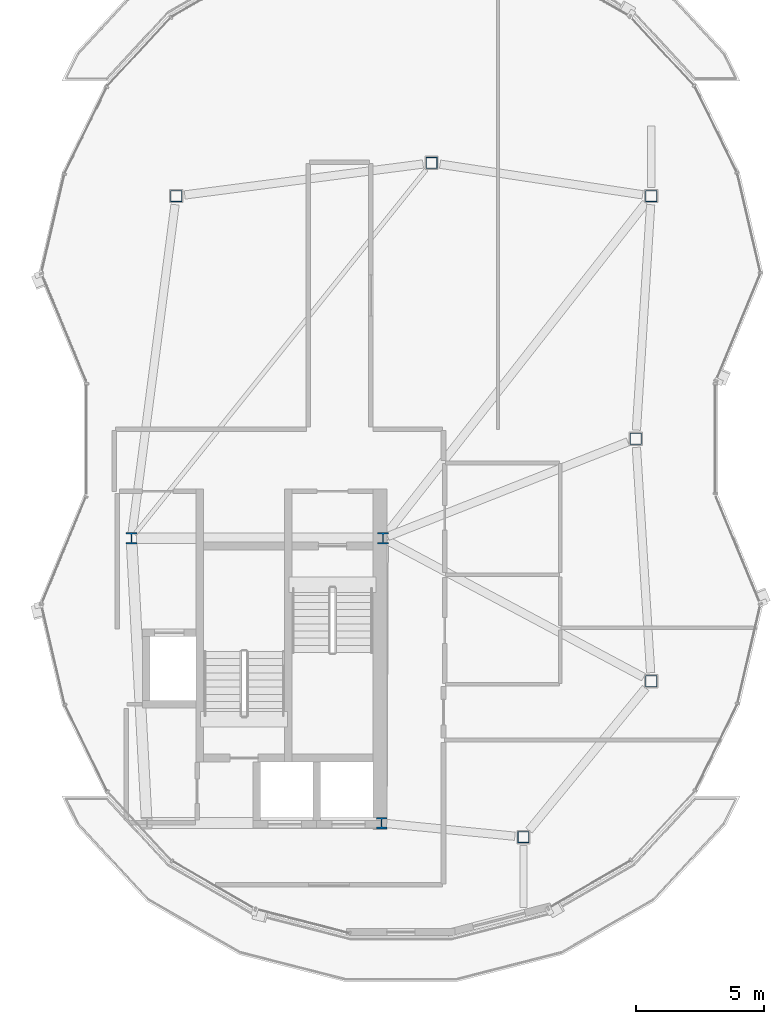
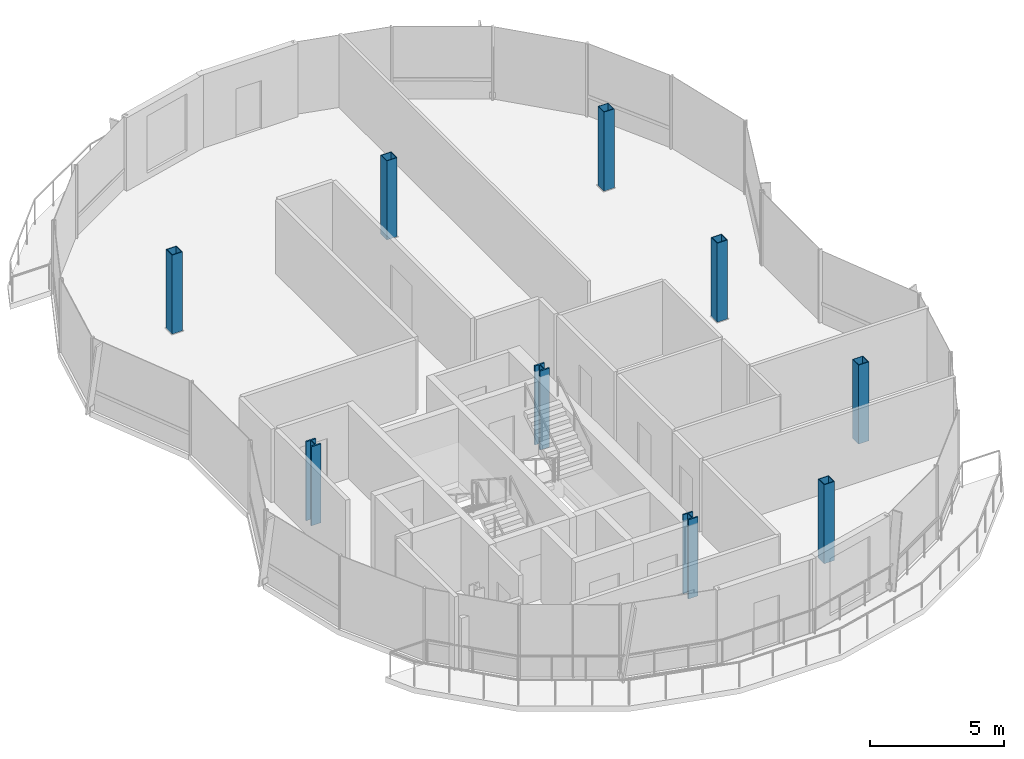
# One storey, part 2 of 20: 9 columns.
"""IFC4 building model written with IfcOpenShell, lengths in metres."""

from ifc_helpers import new_model, si_unit, direction, frame, origin, origin_2d, place, context, subcontext, project, spatial, hollow_rectangle, i_section, extrude, material, material_profile, profile_set, type_object, element, save


model = new_model("IFC4")

# Units and contexts
model_context = context("Model", 3, precision=1e-05, world=origin(), true_north=direction((0.0, 1.0)))
body_context = subcontext(model_context, "Body", "Model", "MODEL_VIEW")
ifc_project = project(units=[si_unit("LENGTHUNIT", "METRE"), si_unit("AREAUNIT", "SQUARE_METRE"), si_unit("VOLUMEUNIT", "CUBIC_METRE"), si_unit("PLANEANGLEUNIT", "RADIAN"), si_unit("MASSUNIT", "GRAM", prefix="KILO"), si_unit("THERMODYNAMICTEMPERATUREUNIT", "KELVIN"), si_unit("POWERUNIT", "WATT")], contexts=[model_context])

# Site, building, storey
site_placement = place(None, origin())
site = spatial("IfcSite", under=ifc_project, at=site_placement, CompositionType="ELEMENT")
building_placement = place(site_placement, origin())
building = spatial("IfcBuilding", under=site, at=building_placement, Name="Cundina Bronze Exchange", CompositionType="ELEMENT")
storey_placement = place(building_placement, frame((0.0, 0.0, 282.800048828125)))
storey = spatial("IfcBuildingStorey", under=building, at=storey_placement, Name="L75", CompositionType="ELEMENT", Elevation=282.800048828125)

# Columns
ifc_material_1 = material(Name="Steel ASTM A501 Grade B", Category="steel")
ifc_material_profile_1 = material_profile(ifc_material_1, hollow_rectangle(XDim=0.449951171875, YDim=0.449951171875, WallThickness=0.02490234375, at=origin_2d()), Name="HSS450X450X25", Category="steel")
ifc_profile_set_1 = profile_set([ifc_material_profile_1], Name="Steel ASTM A501 Grade B")
column_type_1 = type_object("IfcColumnType", Name="COL-STL-HSS45", PredefinedType="COLUMN", material=ifc_profile_set_1)
for number, where, z_axis, x_axis, name in (
    (1, (41.199951171875, 0.0, 0.0), (0.0, 0.0, 1.0), (1.0, 0.0, 0.0), "L75 E Inner Ring Column 1"),
    (2, (41.800048828125, -9.5, 0.0), (0.0, 0.0, 1.0), (1.0, 0.0, 0.0), "L75 E Inner Ring Column 2"),
    (3, (36.800048828125, -15.60009765625, 0.0), (0.0, 0.0, 1.0), (1.0, 0.0, 0.0), "L75 E Inner Ring Column 3"),
    (4, (41.800048828125, 9.5, 0.0), (0.0, 0.0, 1.0), (1.0, 0.0, 0.0), "L75 E Inner Ring Column 4"),
    (5, (33.199951171875, 10.800048828125, 0.0), (0.0, 0.0, 1.0), (1.0, 0.0, 0.0), "L75 E Inner Ring Column 5"),
    (6, (23.199951171875, 9.5, 0.0), (0.0, 0.0, 1.0), (1.0, 0.0, 0.0), "L75 E Inner Ring Column 6"),
):
    element("IfcColumn", number, at=place(storey_placement, frame(where, z_axis=z_axis, x_axis=x_axis)), inside=storey, type_object=column_type_1, Name=name, PredefinedType="COLUMN", context=body_context, shape_type="SweptSolid", body=[
        extrude(hollow_rectangle(XDim=0.449951171875, YDim=0.449951171875, WallThickness=0.02490234375, at=origin_2d()), origin(), (0.0, 0.0, 1.0), 3.599853515625),
    ])
ifc_material_2 = material(Name="Steel ASTM A992 Grade 50", Category="steel")
ifc_material_profile_2 = material_profile(ifc_material_2, i_section(OverallWidth=0.416015625, OverallDepth=0.446044921875, WebThickness=0.0390625, FlangeThickness=0.062744140625, FilletRadius=0.01806640625, at=origin_2d()), Name="W14X342", Category="steel")
ifc_profile_set_2 = profile_set([ifc_material_profile_2], Name="Steel ASTM A992 Grade 50")
column_type_2 = type_object("IfcColumnType", Name="COL-STL-W14B", PredefinedType="COLUMN", material=ifc_profile_set_2)
for number, where, z_axis, x_axis, name in (
    (7, (31.300048828125, -3.89990234375, 0.0), (0.0, 0.0, 1.0), (1.0, 0.0, 0.0), "L75 Core Anchor Column E1"),
    (8, (21.449951171875, -3.89990234375, 0.0), (0.0, 0.0, 1.0), (1.0, 0.0, 0.0), "L75 Core Anchor Column E2"),
    (9, (31.25, -15.050048828125, 0.0), (0.0, 0.0, 1.0), (1.0, 0.0, 0.0), "L75 Core Anchor Column E4"),
):
    element("IfcColumn", number, at=place(storey_placement, frame(where, z_axis=z_axis, x_axis=x_axis)), inside=storey, type_object=column_type_2, Name=name, PredefinedType="COLUMN", context=body_context, shape_type="SweptSolid", body=[
        extrude(i_section(OverallWidth=0.416015625, OverallDepth=0.446044921875, WebThickness=0.0390625, FlangeThickness=0.062744140625, FilletRadius=0.01806640625, at=origin_2d()), origin(), (0.0, 0.0, 1.0), 3.599853515625),
    ])

save(model, "model.ifc")
